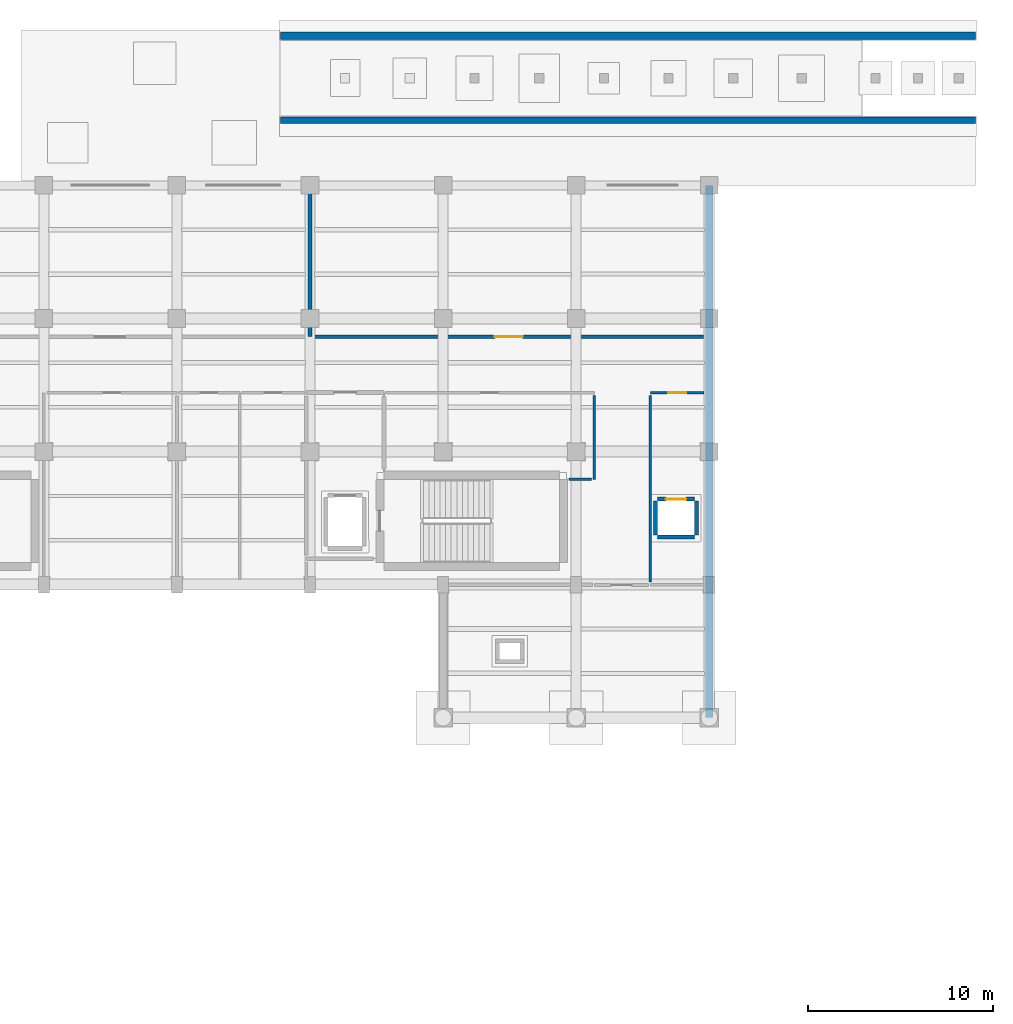
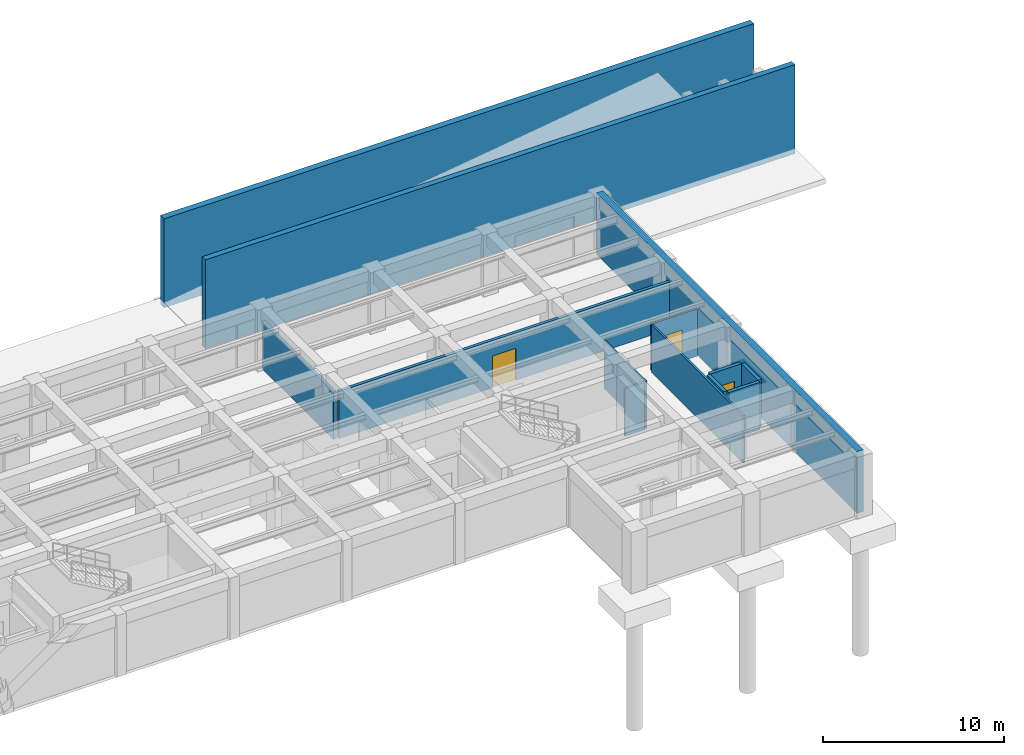
# One storey, part 22 of 34: 13 walls, 3 doors, 3 openings.
"""IFC4 building model written with IfcOpenShell, lengths in metres."""

from ifc_helpers import new_model, si_unit, direction, frame, frame_2d, origin, place, context, subcontext, project, spatial, rectangle, extrude, material, layer, layer_set, type_object, element, fill, save


model = new_model("IFC4")

# Units and contexts
model_context = context("Model", 3, precision=1e-05, world=origin(), true_north=direction((0.0, 1.0)))
body_context = subcontext(model_context, "Body", "Model", "MODEL_VIEW")
ifc_project = project(units=[si_unit("LENGTHUNIT", "METRE"), si_unit("AREAUNIT", "SQUARE_METRE"), si_unit("VOLUMEUNIT", "CUBIC_METRE"), si_unit("PLANEANGLEUNIT", "RADIAN"), si_unit("MASSUNIT", "GRAM", prefix="KILO")], contexts=[model_context])

# Site, building, storey
site_placement = place(None, origin())
site = spatial("IfcSite", under=ifc_project, at=site_placement, CompositionType="ELEMENT")
building_placement = place(site_placement, origin())
building = spatial("IfcBuilding", under=site, at=building_placement, Name="Solenvale Faculty of Natural Sciences", CompositionType="ELEMENT")
storey_placement = place(building_placement, frame((0.0, 0.0, -4.5)))
storey = spatial("IfcBuildingStorey", under=building, at=storey_placement, Name="B01", CompositionType="ELEMENT", Elevation=-4.5)

# Walls
ifc_material_1 = material(Name="Acoustic stud gypsum partition")
ifc_layer_1 = layer(ifc_material_1, 0.125)
ifc_layer_set_1 = layer_set([ifc_layer_1], Name="Acoustic stud gypsum partition")
wall_type_1 = type_object("IfcWallType", Name="WL-OFF-125", PredefinedType="PARTITIONING", material=ifc_layer_set_1)
wall_1_placement = place(storey_placement, frame((144.97998046875, 103.843017578125, 0.0), z_axis=(0.0, 0.0, 1.0), x_axis=(0.0, -1.0, 0.0)))
element("IfcWall", 1, at=wall_1_placement, inside=storey, type_object=wall_type_1, Name="B01 Building Electrical and Telecom Closet Partition 19", PredefinedType="PARTITIONING", context=body_context, shape_type="SweptSolid", body=[
    extrude(rectangle(XDim=4.54296875, YDim=0.125, at=frame_2d((2.271484375, 0.0))), origin(), (0.0, 0.0, 1.0), 3.18994140625),
])
wall_2_placement = place(storey_placement, frame((144.843017578125, 99.300048828125, 0.0), z_axis=(0.0, 0.0, 1.0), x_axis=(-1.0, 0.0, 0.0)))
element("IfcWall", 2, at=wall_2_placement, inside=storey, type_object=wall_type_1, Name="B01 Building Electrical and Telecom Closet Partition 20", PredefinedType="PARTITIONING", context=body_context, shape_type="SweptSolid", body=[
    extrude(rectangle(XDim=1.22900390625, YDim=0.125, at=frame_2d((0.614501953125, 0.0))), origin(), (0.0, 0.0, 1.0), 3.18994140625),
])

# Wall, opening, door
ifc_layer_2 = layer(ifc_material_1, 0.132080078125)
ifc_layer_set_2 = layer_set([ifc_layer_2], Name="Acoustic stud gypsum partition")
wall_type_2 = type_object("IfcWallType", Name="WL-OFF-132", PredefinedType="PARTITIONING", material=ifc_layer_set_2)
wall_3_placement = place(storey_placement, frame((148.02001953125, 103.97998046875, 0.0), z_axis=(0.0, 0.0, 1.0), x_axis=(1.0, 0.0, 0.0)))
wall_3 = element("IfcWall", 3, at=wall_3_placement, inside=storey, type_object=wall_type_2, Name="B01 Elevator Lobby Partition 1", PredefinedType="PARTITIONING", context=body_context, shape_type="SweptSolid", body=[
    extrude(rectangle(XDim=2.902099609375, YDim=0.132080078125, at=frame_2d((1.451171875, 0.0))), origin(), (0.0, 0.0, 1.0), 3.18994140625),
])
opening_1_placement = place(wall_3_placement, frame((0.970947265625, 0.0, 0.0)))
opening_1 = element("IfcOpeningElement", 4, at=opening_1_placement, cuts=wall_3, Name="Opening D-B01-21", PredefinedType="OPENING", context=body_context, shape_type="SweptSolid", body=[
    extrude(rectangle(XDim=0.9599609375, YDim=2.10009765625, at=frame_2d((0.47998046875, 1.050048828125))), frame((0.0, 0.075927734375, 0.0), z_axis=(0.0, -1.0, 0.0), x_axis=(1.0, 0.0, 0.0)), (0.0, 0.0, 1.0), 0.152099609375),
])
ifc_material_2 = material(Name="Oak acoustic timber leaf", Category="wood")
door_type_1 = type_object("IfcDoorType", Name="DR-OFF-0960x2100", OperationType="NOTDEFINED", PredefinedType="DOOR", material=ifc_material_2)
door_1_placement = place(opening_1_placement, origin())
door_1 = element("IfcDoor", 5, at=door_1_placement, inside=storey, type_object=door_type_1, Name="B01 Elevator Lobby Door", OperationType="SINGLE_SWING_LEFT", OverallHeight=2.10009765625, OverallWidth=0.9599609375, PredefinedType="DOOR", context=body_context, shape_type="SweptSolid", body=[
    extrude(rectangle(XDim=0.9599609375, YDim=2.10009765625, at=frame_2d((0.47998046875, 1.050048828125))), frame((0.0, 0.02490234375, 0.0), z_axis=(0.0, -1.0, 0.0), x_axis=(1.0, 0.0, 0.0)), (0.0, 0.0, 1.0), 0.050048828125),
])
fill(opening_1, door_1)

# Walls
wall_4_placement = place(storey_placement, frame((148.02001953125, 93.743896484375, 0.0), z_axis=(0.0, 0.0, 1.0), x_axis=(0.0, 1.0, 0.0)))
element("IfcWall", 6, at=wall_4_placement, inside=storey, type_object=wall_type_2, Name="B01 Elevator Lobby Partition 4", PredefinedType="PARTITIONING", context=body_context, shape_type="SweptSolid", body=[
    extrude(rectangle(XDim=10.092041015625, YDim=0.132080078125, at=frame_2d((5.0458984375, 0.0))), origin(), (0.0, 0.0, 1.0), 3.18994140625),
])
ifc_material_3 = material(Name="Concrete 40 MPa", Category="concrete")
ifc_layer_3 = layer(ifc_material_3, 0.360107421875)
ifc_layer_set_3 = layer_set([ifc_layer_3], Name="Concrete 40 MPa")
wall_type_3 = type_object("IfcWallType", Name="WL-RET-360", PredefinedType="SOLIDWALL", material=ifc_layer_set_3)
wall_5_placement = place(storey_placement, frame((128.0, 118.719970703125, -0.35009765625), z_axis=(0.0, 0.0, 1.0), x_axis=(1.0, 0.0, 0.0)))
element("IfcWall", 7, at=wall_5_placement, inside=storey, type_object=wall_type_3, Name="Vehicle Ramp South Retaining Cheek Wall", PredefinedType="SOLIDWALL", context=body_context, shape_type="SweptSolid", body=[
    extrude(rectangle(XDim=37.60009765625, YDim=0.360107421875, at=frame_2d((18.800048828125, 0.0))), origin(), (0.0, 0.0, 1.0), 6.0),
])
ifc_layer_4 = layer(ifc_material_3, 0.39990234375)
ifc_layer_set_4 = layer_set([ifc_layer_4], Name="Concrete 40 MPa")
wall_type_4 = type_object("IfcWallType", Name="WL-RET-400", PredefinedType="SOLIDWALL", material=ifc_layer_set_4)
wall_6_placement = place(storey_placement, frame((151.199951171875, 115.199951171875, 0.0), z_axis=(0.0, 0.0, 1.0), x_axis=(0.0, -1.0, 0.0)))
element("IfcWall", 8, at=wall_6_placement, inside=storey, type_object=wall_type_4, Name="B01 Escarpment Retaining Wall 8", PredefinedType="SOLIDWALL", context=body_context, shape_type="SweptSolid", body=[
    extrude(rectangle(XDim=28.800048828125, YDim=0.39990234375, at=frame_2d((14.39990234375, 0.0))), origin(), (0.0, 0.0, 1.0), 4.14990234375),
])
wall_7_placement = place(storey_placement, frame((128.0, 123.300048828125, -0.35009765625), z_axis=(0.0, 0.0, 1.0), x_axis=(1.0, 0.0, 0.0)))
element("IfcWall", 9, at=wall_7_placement, inside=storey, type_object=wall_type_4, Name="Vehicle Ramp North Retaining Cheek Wall", PredefinedType="SOLIDWALL", context=body_context, shape_type="SweptSolid", body=[
    extrude(rectangle(XDim=37.60009765625, YDim=0.39990234375, at=frame_2d((18.800048828125, 0.0))), origin(), (0.0, 0.0, 1.0), 6.0),
])
ifc_layer_5 = layer(ifc_material_3, 0.219970703125)
ifc_layer_set_5 = layer_set([ifc_layer_5], Name="Concrete 40 MPa")
wall_type_5 = type_object("IfcWallType", Name="WL-SHF-220", PredefinedType="STANDARD", material=ifc_layer_set_5)
wall_8_placement = place(storey_placement, frame((148.405029296875, 96.169921875, 0.0), z_axis=(0.0, 0.0, 1.0), x_axis=(1.0, 0.0, 0.0)))
element("IfcWall", 10, at=wall_8_placement, inside=storey, type_object=wall_type_5, Name="Elevator LP-03 B01 Shaft Wall S", PredefinedType="STANDARD", context=body_context, shape_type="SweptSolid", body=[
    extrude(rectangle(XDim=1.989990234375, YDim=0.219970703125, at=frame_2d((0.9951171875, 0.0))), origin(), (0.0, 0.0, 1.0), 3.18994140625),
])

# Wall, opening, door
wall_9_placement = place(storey_placement, frame((148.405029296875, 98.22998046875, 0.0), z_axis=(0.0, 0.0, 1.0), x_axis=(1.0, 0.0, 0.0)))
wall_9 = element("IfcWall", 11, at=wall_9_placement, inside=storey, type_object=wall_type_5, Name="Elevator LP-03 B01 Shaft Wall N", PredefinedType="STANDARD", context=body_context, shape_type="SweptSolid", body=[
    extrude(rectangle(XDim=1.989990234375, YDim=0.219970703125, at=frame_2d((0.9951171875, 0.0))), origin(), (0.0, 0.0, 1.0), 3.18994140625),
])
opening_2_placement = place(wall_9_placement, frame((0.445068359375, 0.0, 0.0)))
opening_2 = element("IfcOpeningElement", 12, at=opening_2_placement, cuts=wall_9, Name="Opening LD-LP-03-B01", PredefinedType="OPENING", context=body_context, shape_type="SweptSolid", body=[
    extrude(rectangle(XDim=1.10009765625, YDim=2.14990234375, at=frame_2d((0.550048828125, 1.074951171875))), frame((0.0, 0.119873046875, 0.0), z_axis=(0.0, -1.0, 0.0), x_axis=(1.0, 0.0, 0.0)), (0.0, 0.0, 1.0), 0.239990234375),
])
ifc_material_4 = material(Name="Stainless steel Grade 304", Category="steel")
door_type_2 = type_object("IfcDoorType", Name="DR-LIFT-1100x2150", OperationType="NOTDEFINED", PredefinedType="DOOR", material=ifc_material_4)
door_2_placement = place(opening_2_placement, origin())
door_2 = element("IfcDoor", 13, at=door_2_placement, inside=storey, type_object=door_type_2, Name="Elevator LP-03 B01 Sliding Landing Door", OperationType="SLIDING_TO_RIGHT", OverallHeight=2.14990234375, OverallWidth=1.10009765625, PredefinedType="DOOR", context=body_context, shape_type="SweptSolid", body=[
    extrude(rectangle(XDim=1.10009765625, YDim=2.14990234375, at=frame_2d((0.550048828125, 1.074951171875))), frame((0.0, 0.02490234375, 0.0), z_axis=(0.0, -1.0, 0.0), x_axis=(1.0, 0.0, 0.0)), (0.0, 0.0, 1.0), 0.050048828125),
])
fill(opening_2, door_2)

# Walls
for number, where, z_axis, x_axis, name in (
    (14, (148.294921875, 96.280029296875, 0.0), (0.0, 0.0, 1.0), (0.0, 1.0, 0.0), "Elevator LP-03 B01 Shaft Wall W"),
    (15, (150.5048828125, 96.280029296875, 0.0), (0.0, 0.0, 1.0), (0.0, 1.0, 0.0), "Elevator LP-03 B01 Shaft Wall E"),
):
    element("IfcWall", number, at=place(storey_placement, frame(where, z_axis=z_axis, x_axis=x_axis)), inside=storey, type_object=wall_type_5, Name=name, PredefinedType="STANDARD", context=body_context, shape_type="SweptSolid", body=[
        extrude(rectangle(XDim=1.840087890625, YDim=0.219970703125, at=frame_2d((0.919921875, 0.0))), origin(), (0.0, 0.0, 1.0), 3.18994140625),
    ])
ifc_material_5 = material(Name="Concrete masonry 20 MPa", Category="masonry")
ifc_layer_6 = layer(ifc_material_5, 0.195068359375)
ifc_layer_set_6 = layer_set([ifc_layer_6], Name="Concrete masonry 20 MPa")
wall_type_6 = type_object("IfcWallType", Name="WL-STR-195", PredefinedType="PARTITIONING", material=ifc_layer_set_6)
wall_10_placement = place(storey_placement, frame((129.60009765625, 114.89111328125, 0.0), z_axis=(0.0, 0.0, 1.0), x_axis=(0.0, -1.0, 0.0)))
element("IfcWall", 16, at=wall_10_placement, inside=storey, type_object=wall_type_6, Name="B01 Truck Loading Bay Partition 3", PredefinedType="PARTITIONING", context=body_context, shape_type="SweptSolid", body=[
    extrude(rectangle(XDim=7.87109375, YDim=0.195068359375, at=frame_2d((3.935546875, 0.0))), origin(), (0.0, 0.0, 1.0), 3.18994140625),
])

# Wall, opening, door
wall_11_placement = place(storey_placement, frame((150.89111328125, 107.02001953125, 0.0), z_axis=(0.0, 0.0, 1.0), x_axis=(-1.0, 0.0, 0.0)))
wall_11 = element("IfcWall", 17, at=wall_11_placement, inside=storey, type_object=wall_type_6, Name="B01 Central Air-Handling Plant Partition 4", PredefinedType="PARTITIONING", context=body_context, shape_type="SweptSolid", body=[
    extrude(rectangle(XDim=21.084228515625, YDim=0.195068359375, at=frame_2d((10.5419921875, 0.0))), origin(), (0.0, 0.0, 1.0), 3.18994140625),
])
opening_3_placement = place(wall_11_placement, frame((9.7919921875, 0.0, 0.0)))
opening_3 = element("IfcOpeningElement", 18, at=opening_3_placement, cuts=wall_11, Name="Opening D-B01-15", PredefinedType="OPENING", context=body_context, shape_type="SweptSolid", body=[
    extrude(rectangle(XDim=1.5, YDim=2.14990234375, at=frame_2d((0.75, 1.074951171875))), frame((0.0, 0.107421875, 0.0), z_axis=(0.0, -1.0, 0.0), x_axis=(1.0, 0.0, 0.0)), (0.0, 0.0, 1.0), 0.215087890625),
])
ifc_material_6 = material(Name="Galvanised steel S355", Category="steel")
door_type_3 = type_object("IfcDoorType", Name="DR-PLT-1500x2150", OperationType="NOTDEFINED", PredefinedType="DOOR", material=ifc_material_6)
door_3_placement = place(opening_3_placement, origin())
door_3 = element("IfcDoor", 19, at=door_3_placement, inside=storey, type_object=door_type_3, Name="B01 Central Air-Handling Plant Door", OperationType="SINGLE_SWING_LEFT", OverallHeight=2.14990234375, OverallWidth=1.5, PredefinedType="DOOR", context=body_context, shape_type="SweptSolid", body=[
    extrude(rectangle(XDim=1.5, YDim=2.14990234375, at=frame_2d((0.75, 1.074951171875))), frame((0.0, 0.02490234375, 0.0), z_axis=(0.0, -1.0, 0.0), x_axis=(1.0, 0.0, 0.0)), (0.0, 0.0, 1.0), 0.050048828125),
])
fill(opening_3, door_3)

save(model, "model.ifc")
